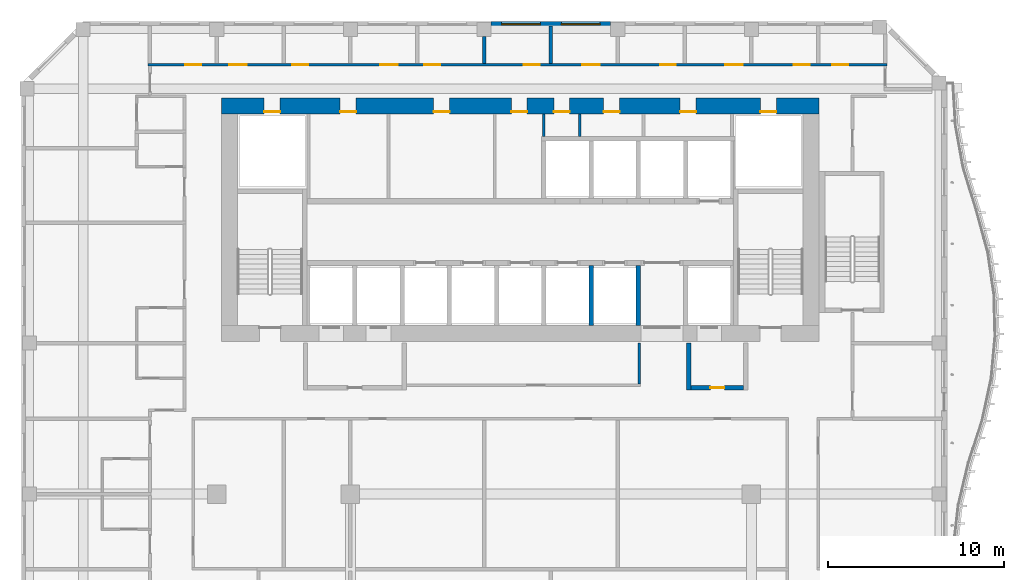
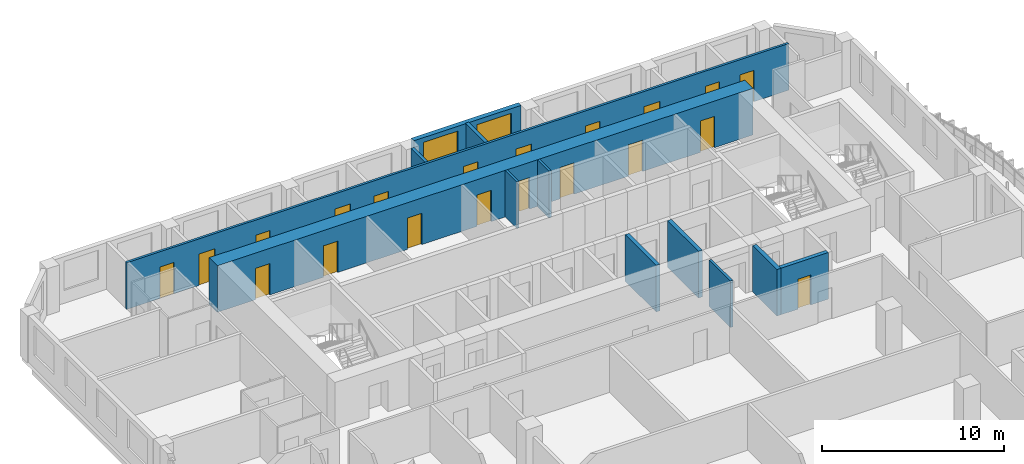
# One storey, part 9 of 22: 20 doors, 12 walls, 2 windows, 22 openings.
"""IFC4 building model written with IfcOpenShell, lengths in metres."""

from ifc_helpers import new_model, si_unit, direction, frame, frame_2d, origin, place, context, subcontext, project, spatial, rectangle, extrude, source, transform, mapped, material, layer, layer_set, type_object, element, fill, save


model = new_model("IFC4")

# Units and contexts
model_context = context("Model", 3, precision=1e-05, world=origin(), true_north=direction((0.0, 1.0)))
body_context = subcontext(model_context, "Body", "Model", "MODEL_VIEW")
ifc_project = project(units=[si_unit("LENGTHUNIT", "METRE"), si_unit("AREAUNIT", "SQUARE_METRE"), si_unit("VOLUMEUNIT", "CUBIC_METRE"), si_unit("PLANEANGLEUNIT", "RADIAN"), si_unit("MASSUNIT", "GRAM", prefix="KILO")], contexts=[model_context])

# Site, building, storey
site_placement = place(None, origin())
site = spatial("IfcSite", under=ifc_project, at=site_placement, CompositionType="ELEMENT")
building_placement = place(site_placement, origin())
building = spatial("IfcBuilding", under=site, at=building_placement, Name="Kilnfold Tower and Market Hall", CompositionType="ELEMENT")
storey_placement = place(building_placement, frame((0.0, 0.0, 171.89990234375)))
storey = spatial("IfcBuildingStorey", under=building, at=storey_placement, Name="L40", CompositionType="ELEMENT", Elevation=171.89990234375)

# Wall, openings, doors
ifc_material_1 = material(Name="Gypsum board on steel studs", Category="steel")
ifc_layer_1 = layer(ifc_material_1, 0.14990234375)
ifc_layer_set_1 = layer_set([ifc_layer_1], Name="Gypsum board on steel studs")
wall_type_1 = type_object("IfcWallType", Name="WALL CORRIDOR 150", PredefinedType="PARTITIONING", material=ifc_layer_set_1)
wall_1_placement = place(storey_placement, frame((-20.05908203125, 23.800048828125, 0.0), z_axis=(0.0, 0.0, 1.0), x_axis=(1.0, 0.0, 0.0)))
wall_1 = element("IfcWall", 1, at=wall_1_placement, inside=storey, type_object=wall_type_1, Name="Partition LY26.39", PredefinedType="PARTITIONING", context=body_context, shape_type="SweptSolid", body=[
    extrude(rectangle(XDim=41.9091796875, YDim=0.14990234375, at=frame_2d((20.95458984375, 0.0))), origin(), (0.0, 0.0, 1.0), 3.1201171875),
])
opening_1_placement = place(wall_1_placement, frame((2.10107421875, 0.0, 0.0)))
opening_1 = element("IfcOpeningElement", 2, at=opening_1_placement, cuts=wall_1, Name="Opening D2", PredefinedType="OPENING", context=body_context, shape_type="SweptSolid", body=[
    extrude(rectangle(XDim=0.89990234375, YDim=2.10009765625, at=frame_2d((0.449951171875, 1.050048828125))), frame((0.0, 0.0849609375, 0.0), z_axis=(0.0, -1.0, 0.0), x_axis=(1.0, 0.0, 0.0)), (0.0, 0.0, 1.0), 0.169921875),
])
opening_2_placement = place(wall_1_placement, frame((4.5849609375, 0.0, 0.0)))
opening_2 = element("IfcOpeningElement", 3, at=opening_2_placement, cuts=wall_1, Name="Opening D4", PredefinedType="OPENING", context=body_context, shape_type="SweptSolid", body=[
    extrude(rectangle(XDim=1.0, YDim=2.10009765625, at=frame_2d((0.5, 1.050048828125))), frame((0.0, 0.0849609375, 0.0), z_axis=(0.0, -1.0, 0.0), x_axis=(1.0, 0.0, 0.0)), (0.0, 0.0, 1.0), 0.169921875),
])
opening_3_placement = place(wall_1_placement, frame((8.175048828125, 0.0, 0.0)))
opening_3 = element("IfcOpeningElement", 4, at=opening_3_placement, cuts=wall_1, Name="Opening D2", PredefinedType="OPENING", context=body_context, shape_type="SweptSolid", body=[
    extrude(rectangle(XDim=0.89990234375, YDim=2.10009765625, at=frame_2d((0.449951171875, 1.050048828125))), frame((0.0, 0.0849609375, 0.0), z_axis=(0.0, -1.0, 0.0), x_axis=(1.0, 0.0, 0.0)), (0.0, 0.0, 1.0), 0.169921875),
])
opening_4_placement = place(wall_1_placement, frame((13.173095703125, 0.0, 0.0)))
opening_4 = element("IfcOpeningElement", 5, at=opening_4_placement, cuts=wall_1, Name="Opening D4", PredefinedType="OPENING", context=body_context, shape_type="SweptSolid", body=[
    extrude(rectangle(XDim=1.0, YDim=2.10009765625, at=frame_2d((0.5, 1.050048828125))), frame((0.0, 0.0849609375, 0.0), z_axis=(0.0, -1.0, 0.0), x_axis=(1.0, 0.0, 0.0)), (0.0, 0.0, 1.0), 0.169921875),
])
opening_5_placement = place(wall_1_placement, frame((15.657958984375, 0.0, 0.0)))
opening_5 = element("IfcOpeningElement", 6, at=opening_5_placement, cuts=wall_1, Name="Opening D2", PredefinedType="OPENING", context=body_context, shape_type="SweptSolid", body=[
    extrude(rectangle(XDim=0.89990234375, YDim=2.10009765625, at=frame_2d((0.449951171875, 1.050048828125))), frame((0.0, 0.0849609375, 0.0), z_axis=(0.0, -1.0, 0.0), x_axis=(1.0, 0.0, 0.0)), (0.0, 0.0, 1.0), 0.169921875),
])
opening_6_placement = place(wall_1_placement, frame((21.31494140625, 0.0, 0.0)))
opening_6 = element("IfcOpeningElement", 7, at=opening_6_placement, cuts=wall_1, Name="Opening D2", PredefinedType="OPENING", context=body_context, shape_type="SweptSolid", body=[
    extrude(rectangle(XDim=0.89990234375, YDim=2.10009765625, at=frame_2d((0.449951171875, 1.050048828125))), frame((0.0, 0.0849609375, 0.0), z_axis=(0.0, -1.0, 0.0), x_axis=(1.0, 0.0, 0.0)), (0.0, 0.0, 1.0), 0.169921875),
])
opening_7_placement = place(wall_1_placement, frame((24.625, 0.0, 0.0)))
opening_7 = element("IfcOpeningElement", 8, at=opening_7_placement, cuts=wall_1, Name="Opening D4", PredefinedType="OPENING", context=body_context, shape_type="SweptSolid", body=[
    extrude(rectangle(XDim=1.0, YDim=2.10009765625, at=frame_2d((0.5, 1.050048828125))), frame((0.0, 0.0849609375, 0.0), z_axis=(0.0, -1.0, 0.0), x_axis=(1.0, 0.0, 0.0)), (0.0, 0.0, 1.0), 0.169921875),
])
opening_8_placement = place(wall_1_placement, frame((29.04296875, 0.0, 0.0)))
opening_8 = element("IfcOpeningElement", 9, at=opening_8_placement, cuts=wall_1, Name="Opening D2", PredefinedType="OPENING", context=body_context, shape_type="SweptSolid", body=[
    extrude(rectangle(XDim=0.89990234375, YDim=2.10009765625, at=frame_2d((0.449951171875, 1.050048828125))), frame((0.0, 0.0849609375, 0.0), z_axis=(0.0, -1.0, 0.0), x_axis=(1.0, 0.0, 0.0)), (0.0, 0.0, 1.0), 0.169921875),
])
opening_9_placement = place(wall_1_placement, frame((32.735107421875, 0.0, 0.0)))
opening_9 = element("IfcOpeningElement", 10, at=opening_9_placement, cuts=wall_1, Name="Opening D4", PredefinedType="OPENING", context=body_context, shape_type="SweptSolid", body=[
    extrude(rectangle(XDim=1.0, YDim=2.10009765625, at=frame_2d((0.5, 1.050048828125))), frame((0.0, 0.0849609375, 0.0), z_axis=(0.0, -1.0, 0.0), x_axis=(1.0, 0.0, 0.0)), (0.0, 0.0, 1.0), 0.169921875),
])
opening_10_placement = place(wall_1_placement, frame((36.626953125, 0.0, 0.0)))
opening_10 = element("IfcOpeningElement", 11, at=opening_10_placement, cuts=wall_1, Name="Opening D2", PredefinedType="OPENING", context=body_context, shape_type="SweptSolid", body=[
    extrude(rectangle(XDim=0.89990234375, YDim=2.10009765625, at=frame_2d((0.449951171875, 1.050048828125))), frame((0.0, 0.0849609375, 0.0), z_axis=(0.0, -1.0, 0.0), x_axis=(1.0, 0.0, 0.0)), (0.0, 0.0, 1.0), 0.169921875),
])
opening_11_placement = place(wall_1_placement, frame((38.80810546875, 0.0, 0.0)))
opening_11 = element("IfcOpeningElement", 12, at=opening_11_placement, cuts=wall_1, Name="Opening D2", PredefinedType="OPENING", context=body_context, shape_type="SweptSolid", body=[
    extrude(rectangle(XDim=0.89990234375, YDim=2.10009765625, at=frame_2d((0.449951171875, 1.050048828125))), frame((0.0, 0.0849609375, 0.0), z_axis=(0.0, -1.0, 0.0), x_axis=(1.0, 0.0, 0.0)), (0.0, 0.0, 1.0), 0.169921875),
])
ifc_material_2 = material(Name="Timber veneer door leaf in steel frame", Category="steel")
door_type_1 = type_object("IfcDoorType", Name="DOOR ROOM 900 X2100", OperationType="NOTDEFINED", PredefinedType="DOOR", material=ifc_material_2)
door_1_placement = place(opening_1_placement, origin())
door_1 = element("IfcDoor", 13, at=door_1_placement, inside=storey, type_object=door_type_1, Name="Door D2", OperationType="SINGLE_SWING_RIGHT", OverallHeight=2.10009765625, OverallWidth=0.89990234375, PredefinedType="DOOR", context=body_context, shape_type="SweptSolid", body=[
    extrude(rectangle(XDim=0.89990234375, YDim=2.10009765625, at=frame_2d((0.449951171875, 1.050048828125))), frame((0.0, 0.02490234375, 0.0), z_axis=(0.0, -1.0, 0.0), x_axis=(1.0, 0.0, 0.0)), (0.0, 0.0, 1.0), 0.050048828125),
])
fill(opening_1, door_1)
door_2_placement = place(opening_3_placement, origin())
door_2 = element("IfcDoor", 14, at=door_2_placement, inside=storey, type_object=door_type_1, Name="Door D2", OperationType="SINGLE_SWING_LEFT", OverallHeight=2.10009765625, OverallWidth=0.89990234375, PredefinedType="DOOR", context=body_context, shape_type="SweptSolid", body=[
    extrude(rectangle(XDim=0.89990234375, YDim=2.10009765625, at=frame_2d((0.449951171875, 1.050048828125))), frame((0.0, 0.02490234375, 0.0), z_axis=(0.0, -1.0, 0.0), x_axis=(1.0, 0.0, 0.0)), (0.0, 0.0, 1.0), 0.050048828125),
])
fill(opening_3, door_2)
door_3_placement = place(opening_5_placement, origin())
door_3 = element("IfcDoor", 15, at=door_3_placement, inside=storey, type_object=door_type_1, Name="Door D2", OperationType="SINGLE_SWING_RIGHT", OverallHeight=2.10009765625, OverallWidth=0.89990234375, PredefinedType="DOOR", context=body_context, shape_type="SweptSolid", body=[
    extrude(rectangle(XDim=0.89990234375, YDim=2.10009765625, at=frame_2d((0.449951171875, 1.050048828125))), frame((0.0, 0.02490234375, 0.0), z_axis=(0.0, -1.0, 0.0), x_axis=(1.0, 0.0, 0.0)), (0.0, 0.0, 1.0), 0.050048828125),
])
fill(opening_5, door_3)
door_4_placement = place(opening_6_placement, origin())
door_4 = element("IfcDoor", 16, at=door_4_placement, inside=storey, type_object=door_type_1, Name="Door D2", OperationType="SINGLE_SWING_RIGHT", OverallHeight=2.10009765625, OverallWidth=0.89990234375, PredefinedType="DOOR", context=body_context, shape_type="SweptSolid", body=[
    extrude(rectangle(XDim=0.89990234375, YDim=2.10009765625, at=frame_2d((0.449951171875, 1.050048828125))), frame((0.0, 0.02490234375, 0.0), z_axis=(0.0, -1.0, 0.0), x_axis=(1.0, 0.0, 0.0)), (0.0, 0.0, 1.0), 0.050048828125),
])
fill(opening_6, door_4)
door_5_placement = place(opening_8_placement, origin())
door_5 = element("IfcDoor", 17, at=door_5_placement, inside=storey, type_object=door_type_1, Name="Door D2", OperationType="SINGLE_SWING_RIGHT", OverallHeight=2.10009765625, OverallWidth=0.89990234375, PredefinedType="DOOR", context=body_context, shape_type="SweptSolid", body=[
    extrude(rectangle(XDim=0.89990234375, YDim=2.10009765625, at=frame_2d((0.449951171875, 1.050048828125))), frame((0.0, 0.02490234375, 0.0), z_axis=(0.0, -1.0, 0.0), x_axis=(1.0, 0.0, 0.0)), (0.0, 0.0, 1.0), 0.050048828125),
])
fill(opening_8, door_5)
door_6_placement = place(opening_10_placement, origin())
door_6 = element("IfcDoor", 18, at=door_6_placement, inside=storey, type_object=door_type_1, Name="Door D2", OperationType="SINGLE_SWING_RIGHT", OverallHeight=2.10009765625, OverallWidth=0.89990234375, PredefinedType="DOOR", context=body_context, shape_type="SweptSolid", body=[
    extrude(rectangle(XDim=0.89990234375, YDim=2.10009765625, at=frame_2d((0.449951171875, 1.050048828125))), frame((0.0, 0.02490234375, 0.0), z_axis=(0.0, -1.0, 0.0), x_axis=(1.0, 0.0, 0.0)), (0.0, 0.0, 1.0), 0.050048828125),
])
fill(opening_10, door_6)
door_7_placement = place(opening_11_placement, origin())
door_7 = element("IfcDoor", 19, at=door_7_placement, inside=storey, type_object=door_type_1, Name="Door D2", OperationType="SINGLE_SWING_LEFT", OverallHeight=2.10009765625, OverallWidth=0.89990234375, PredefinedType="DOOR", context=body_context, shape_type="SweptSolid", body=[
    extrude(rectangle(XDim=0.89990234375, YDim=2.10009765625, at=frame_2d((0.449951171875, 1.050048828125))), frame((0.0, 0.02490234375, 0.0), z_axis=(0.0, -1.0, 0.0), x_axis=(1.0, 0.0, 0.0)), (0.0, 0.0, 1.0), 0.050048828125),
])
fill(opening_11, door_7)
ifc_material_3 = material(Name="Timber veneer door leaf in steel frame", Category="steel")
door_type_2 = type_object("IfcDoorType", Name="DOOR SERVICE 1000 X2100", OperationType="NOTDEFINED", PredefinedType="DOOR", material=ifc_material_3)
door_8_placement = place(opening_2_placement, origin())
door_8 = element("IfcDoor", 20, at=door_8_placement, inside=storey, type_object=door_type_2, Name="Door D4", OperationType="SINGLE_SWING_RIGHT", OverallHeight=2.10009765625, OverallWidth=1.0, PredefinedType="DOOR", context=body_context, shape_type="SweptSolid", body=[
    extrude(rectangle(XDim=1.0, YDim=2.10009765625, at=frame_2d((0.5, 1.050048828125))), frame((0.0, 0.02490234375, 0.0), z_axis=(0.0, -1.0, 0.0), x_axis=(1.0, 0.0, 0.0)), (0.0, 0.0, 1.0), 0.050048828125),
])
fill(opening_2, door_8)
door_9_placement = place(opening_4_placement, origin())
door_9 = element("IfcDoor", 21, at=door_9_placement, inside=storey, type_object=door_type_2, Name="Door D4", OperationType="SINGLE_SWING_RIGHT", OverallHeight=2.10009765625, OverallWidth=1.0, PredefinedType="DOOR", context=body_context, shape_type="SweptSolid", body=[
    extrude(rectangle(XDim=1.0, YDim=2.10009765625, at=frame_2d((0.5, 1.050048828125))), frame((0.0, 0.02490234375, 0.0), z_axis=(0.0, -1.0, 0.0), x_axis=(1.0, 0.0, 0.0)), (0.0, 0.0, 1.0), 0.050048828125),
])
fill(opening_4, door_9)
door_10_placement = place(opening_7_placement, origin())
door_10 = element("IfcDoor", 22, at=door_10_placement, inside=storey, type_object=door_type_2, Name="Door D4", OperationType="SINGLE_SWING_LEFT", OverallHeight=2.10009765625, OverallWidth=1.0, PredefinedType="DOOR", context=body_context, shape_type="SweptSolid", body=[
    extrude(rectangle(XDim=1.0, YDim=2.10009765625, at=frame_2d((0.5, 1.050048828125))), frame((0.0, 0.02490234375, 0.0), z_axis=(0.0, -1.0, 0.0), x_axis=(1.0, 0.0, 0.0)), (0.0, 0.0, 1.0), 0.050048828125),
])
fill(opening_7, door_10)
door_11_placement = place(opening_9_placement, origin())
door_11 = element("IfcDoor", 23, at=door_11_placement, inside=storey, type_object=door_type_2, Name="Door D4", OperationType="SINGLE_SWING_RIGHT", OverallHeight=2.10009765625, OverallWidth=1.0, PredefinedType="DOOR", context=body_context, shape_type="SweptSolid", body=[
    extrude(rectangle(XDim=1.0, YDim=2.10009765625, at=frame_2d((0.5, 1.050048828125))), frame((0.0, 0.02490234375, 0.0), z_axis=(0.0, -1.0, 0.0), x_axis=(1.0, 0.0, 0.0)), (0.0, 0.0, 1.0), 0.050048828125),
])
fill(opening_9, door_11)

# Walls
wall_2_placement = place(storey_placement, frame((7.800048828125, 8.0, 0.0), z_axis=(0.0, 0.0, 1.0), x_axis=(0.0, -1.0, 0.0)))
element("IfcWall", 24, at=wall_2_placement, inside=storey, type_object=wall_type_1, Name="Partition LY26.41", PredefinedType="PARTITIONING", context=body_context, shape_type="SweptSolid", body=[
    extrude(rectangle(XDim=2.324951171875, YDim=0.14990234375, at=frame_2d((1.16259765625, 0.0))), origin(), (0.0, 0.0, 1.0), 3.1201171875),
])
ifc_material_4 = material(Name="Gypsum board on steel studs", Category="steel")
ifc_layer_2 = layer(ifc_material_4, 0.199951171875)
ifc_layer_set_2 = layer_set([ifc_layer_2], Name="Gypsum board on steel studs")
wall_type_2 = type_object("IfcWallType", Name="WALL PARTY 200", PredefinedType="PARTITIONING", material=ifc_layer_set_2)
wall_3_placement = place(storey_placement, frame((-1.0, 23.876953125, 0.0), z_axis=(0.0, 0.0, 1.0), x_axis=(0.0, 1.0, 0.0)))
element("IfcWall", 25, at=wall_3_placement, inside=storey, type_object=wall_type_2, Name="Partition LY26.128", PredefinedType="PARTITIONING", context=body_context, shape_type="SweptSolid", body=[
    extrude(rectangle(XDim=1.52294921875, YDim=0.199951171875, at=frame_2d((0.761474609375, 0.0))), origin(), (0.0, 0.0, 1.0), 3.1201171875),
])
wall_4_placement = place(storey_placement, frame((2.7919921875, 23.876953125, 0.0), z_axis=(0.0, 0.0, 1.0), x_axis=(0.0, 1.0, 0.0)))
element("IfcWall", 26, at=wall_4_placement, inside=storey, type_object=wall_type_2, Name="Partition LY26.129", PredefinedType="PARTITIONING", context=body_context, shape_type="SweptSolid", body=[
    extrude(rectangle(XDim=2.123046875, YDim=0.199951171875, at=frame_2d((1.0615234375, 0.0))), origin(), (0.0, 0.0, 1.0), 3.1201171875),
])

# Wall, openings, doors
ifc_material_5 = material(Name="Concrete C70", Category="concrete")
ifc_layer_3 = layer(ifc_material_5, 0.89990234375)
ifc_layer_set_3 = layer_set([ifc_layer_3], Name="Concrete C70")
wall_type_3 = type_object("IfcWallType", Name="CORE WALL 900 C70", PredefinedType="SHEAR", material=ifc_layer_set_3)
shared_shape_1 = source(origin(), body_context, "Body", "SweptSolid", [
    extrude(rectangle(XDim=33.89990234375, YDim=0.89990234375, at=frame_2d((16.949951171875, 0.0))), origin(), (0.0, 0.0, 1.0), 3.1201171875),
])
wall_5_placement = place(storey_placement, frame((-15.89990234375, 21.449951171875, 0.0), z_axis=(0.0, 0.0, 1.0), x_axis=(1.0, 0.0, 0.0)))
wall_5 = element("IfcWall", 27, at=wall_5_placement, inside=storey, type_object=wall_type_3, Name="Core outer wall north", PredefinedType="SHEAR", context=body_context, shape_type="MappedRepresentation", body=[
    mapped(shared_shape_1, transform((0.0, 0.0, 0.0))),
])
opening_12_placement = place(wall_5_placement, frame((6.7314453125, 0.0, 0.0)))
opening_12 = element("IfcOpeningElement", 28, at=opening_12_placement, cuts=wall_5, Name="Opening KD1", PredefinedType="OPENING", context=body_context, shape_type="SweptSolid", body=[
    extrude(rectangle(XDim=0.89990234375, YDim=2.10009765625, at=frame_2d((0.449951171875, 1.050048828125))), frame((0.0, 0.4599609375, 0.0), z_axis=(0.0, -1.0, 0.0), x_axis=(1.0, 0.0, 0.0)), (0.0, 0.0, 1.0), 0.919921875),
])
opening_13_placement = place(wall_5_placement, frame((12.037841796875, 0.0, 0.0)))
opening_13 = element("IfcOpeningElement", 29, at=opening_13_placement, cuts=wall_5, Name="Opening KD1", PredefinedType="OPENING", context=body_context, shape_type="SweptSolid", body=[
    extrude(rectangle(XDim=0.89990234375, YDim=2.10009765625, at=frame_2d((0.449951171875, 1.050048828125))), frame((0.0, 0.4599609375, 0.0), z_axis=(0.0, -1.0, 0.0), x_axis=(1.0, 0.0, 0.0)), (0.0, 0.0, 1.0), 0.919921875),
])
opening_14_placement = place(wall_5_placement, frame((16.4462890625, 0.0, 0.0)))
opening_14 = element("IfcOpeningElement", 30, at=opening_14_placement, cuts=wall_5, Name="Opening KD1", PredefinedType="OPENING", context=body_context, shape_type="SweptSolid", body=[
    extrude(rectangle(XDim=0.89990234375, YDim=2.10009765625, at=frame_2d((0.449951171875, 1.050048828125))), frame((0.0, 0.4599609375, 0.0), z_axis=(0.0, -1.0, 0.0), x_axis=(1.0, 0.0, 0.0)), (0.0, 0.0, 1.0), 0.919921875),
])
opening_15_placement = place(wall_5_placement, frame((18.8583984375, 0.0, 0.0)))
opening_15 = element("IfcOpeningElement", 31, at=opening_15_placement, cuts=wall_5, Name="Opening KD1", PredefinedType="OPENING", context=body_context, shape_type="SweptSolid", body=[
    extrude(rectangle(XDim=0.89990234375, YDim=2.10009765625, at=frame_2d((0.449951171875, 1.050048828125))), frame((0.0, 0.4599609375, 0.0), z_axis=(0.0, -1.0, 0.0), x_axis=(1.0, 0.0, 0.0)), (0.0, 0.0, 1.0), 0.919921875),
])
opening_16_placement = place(wall_5_placement, frame((21.685791015625, 0.0, 0.0)))
opening_16 = element("IfcOpeningElement", 32, at=opening_16_placement, cuts=wall_5, Name="Opening KD1", PredefinedType="OPENING", context=body_context, shape_type="SweptSolid", body=[
    extrude(rectangle(XDim=0.89990234375, YDim=2.10009765625, at=frame_2d((0.449951171875, 1.050048828125))), frame((0.0, 0.4599609375, 0.0), z_axis=(0.0, -1.0, 0.0), x_axis=(1.0, 0.0, 0.0)), (0.0, 0.0, 1.0), 0.919921875),
])
opening_17_placement = place(wall_5_placement, frame((26.02734375, 0.0, 0.0)))
opening_17 = element("IfcOpeningElement", 33, at=opening_17_placement, cuts=wall_5, Name="Opening KD1", PredefinedType="OPENING", context=body_context, shape_type="SweptSolid", body=[
    extrude(rectangle(XDim=0.89990234375, YDim=2.10009765625, at=frame_2d((0.449951171875, 1.050048828125))), frame((0.0, 0.4599609375, 0.0), z_axis=(0.0, -1.0, 0.0), x_axis=(1.0, 0.0, 0.0)), (0.0, 0.0, 1.0), 0.919921875),
])
opening_18_placement = place(wall_5_placement, frame((2.425048828125, 0.0, 0.0)))
opening_18 = element("IfcOpeningElement", 34, at=opening_18_placement, cuts=wall_5, Name="Opening KD1", PredefinedType="OPENING", context=body_context, shape_type="SweptSolid", body=[
    extrude(rectangle(XDim=0.89990234375, YDim=2.10009765625, at=frame_2d((0.449951171875, 1.050048828125))), frame((0.0, 0.4599609375, 0.0), z_axis=(0.0, -1.0, 0.0), x_axis=(1.0, 0.0, 0.0)), (0.0, 0.0, 1.0), 0.919921875),
])
opening_19_placement = place(wall_5_placement, frame((30.574951171875, 0.0, 0.0)))
opening_19 = element("IfcOpeningElement", 35, at=opening_19_placement, cuts=wall_5, Name="Opening KD1", PredefinedType="OPENING", context=body_context, shape_type="SweptSolid", body=[
    extrude(rectangle(XDim=0.89990234375, YDim=2.10009765625, at=frame_2d((0.449951171875, 1.050048828125))), frame((0.0, 0.4599609375, 0.0), z_axis=(0.0, -1.0, 0.0), x_axis=(1.0, 0.0, 0.0)), (0.0, 0.0, 1.0), 0.919921875),
])
ifc_material_6 = material(Name="Steel door set with fire-resisting leaf", Category="steel")
door_type_3 = type_object("IfcDoorType", Name="SERVICE DOOR 900X2100", OperationType="NOTDEFINED", PredefinedType="DOOR", material=ifc_material_6)
door_12_placement = place(opening_12_placement, origin())
door_12 = element("IfcDoor", 36, at=door_12_placement, inside=storey, type_object=door_type_3, Name="Core service door", OperationType="SINGLE_SWING_RIGHT", OverallHeight=2.10009765625, OverallWidth=0.89990234375, PredefinedType="DOOR", context=body_context, shape_type="SweptSolid", body=[
    extrude(rectangle(XDim=0.89990234375, YDim=2.10009765625, at=frame_2d((0.449951171875, 1.050048828125))), frame((0.0, -0.30517578125, 0.0), z_axis=(0.0, -1.0, 0.0), x_axis=(1.0, 0.0, 0.0)), (0.0, 0.0, 1.0), 0.050048828125),
])
fill(opening_12, door_12)
door_13_placement = place(opening_13_placement, origin())
door_13 = element("IfcDoor", 37, at=door_13_placement, inside=storey, type_object=door_type_3, Name="Core service door", OperationType="SINGLE_SWING_LEFT", OverallHeight=2.10009765625, OverallWidth=0.89990234375, PredefinedType="DOOR", context=body_context, shape_type="SweptSolid", body=[
    extrude(rectangle(XDim=0.89990234375, YDim=2.10009765625, at=frame_2d((0.449951171875, 1.050048828125))), frame((0.0, -0.30517578125, 0.0), z_axis=(0.0, -1.0, 0.0), x_axis=(1.0, 0.0, 0.0)), (0.0, 0.0, 1.0), 0.050048828125),
])
fill(opening_13, door_13)
door_14_placement = place(opening_14_placement, origin())
door_14 = element("IfcDoor", 38, at=door_14_placement, inside=storey, type_object=door_type_3, Name="Core service door", OperationType="SINGLE_SWING_RIGHT", OverallHeight=2.10009765625, OverallWidth=0.89990234375, PredefinedType="DOOR", context=body_context, shape_type="SweptSolid", body=[
    extrude(rectangle(XDim=0.89990234375, YDim=2.10009765625, at=frame_2d((0.449951171875, 1.050048828125))), frame((0.0, -0.30517578125, 0.0), z_axis=(0.0, -1.0, 0.0), x_axis=(1.0, 0.0, 0.0)), (0.0, 0.0, 1.0), 0.050048828125),
])
fill(opening_14, door_14)
door_15_placement = place(opening_15_placement, origin())
door_15 = element("IfcDoor", 39, at=door_15_placement, inside=storey, type_object=door_type_3, Name="Core service door", OperationType="SINGLE_SWING_LEFT", OverallHeight=2.10009765625, OverallWidth=0.89990234375, PredefinedType="DOOR", context=body_context, shape_type="SweptSolid", body=[
    extrude(rectangle(XDim=0.89990234375, YDim=2.10009765625, at=frame_2d((0.449951171875, 1.050048828125))), frame((0.0, -0.30517578125, 0.0), z_axis=(0.0, -1.0, 0.0), x_axis=(1.0, 0.0, 0.0)), (0.0, 0.0, 1.0), 0.050048828125),
])
fill(opening_15, door_15)
door_16_placement = place(opening_16_placement, origin())
door_16 = element("IfcDoor", 40, at=door_16_placement, inside=storey, type_object=door_type_3, Name="Core service door", OperationType="SINGLE_SWING_RIGHT", OverallHeight=2.10009765625, OverallWidth=0.89990234375, PredefinedType="DOOR", context=body_context, shape_type="SweptSolid", body=[
    extrude(rectangle(XDim=0.89990234375, YDim=2.10009765625, at=frame_2d((0.449951171875, 1.050048828125))), frame((0.0, -0.30517578125, 0.0), z_axis=(0.0, -1.0, 0.0), x_axis=(1.0, 0.0, 0.0)), (0.0, 0.0, 1.0), 0.050048828125),
])
fill(opening_16, door_16)
door_17_placement = place(opening_17_placement, origin())
door_17 = element("IfcDoor", 41, at=door_17_placement, inside=storey, type_object=door_type_3, Name="Core service door", OperationType="SINGLE_SWING_LEFT", OverallHeight=2.10009765625, OverallWidth=0.89990234375, PredefinedType="DOOR", context=body_context, shape_type="SweptSolid", body=[
    extrude(rectangle(XDim=0.89990234375, YDim=2.10009765625, at=frame_2d((0.449951171875, 1.050048828125))), frame((0.0, -0.30517578125, 0.0), z_axis=(0.0, -1.0, 0.0), x_axis=(1.0, 0.0, 0.0)), (0.0, 0.0, 1.0), 0.050048828125),
])
fill(opening_17, door_17)
door_18_placement = place(opening_18_placement, origin())
door_18 = element("IfcDoor", 42, at=door_18_placement, inside=storey, type_object=door_type_3, Name="Electrical riser access door", OperationType="SINGLE_SWING_RIGHT", OverallHeight=2.10009765625, OverallWidth=0.89990234375, PredefinedType="DOOR", context=body_context, shape_type="SweptSolid", body=[
    extrude(rectangle(XDim=0.89990234375, YDim=2.10009765625, at=frame_2d((0.449951171875, 1.050048828125))), frame((0.0, -0.30517578125, 0.0), z_axis=(0.0, -1.0, 0.0), x_axis=(1.0, 0.0, 0.0)), (0.0, 0.0, 1.0), 0.050048828125),
])
fill(opening_18, door_18)
door_19_placement = place(opening_19_placement, origin())
door_19 = element("IfcDoor", 43, at=door_19_placement, inside=storey, type_object=door_type_3, Name="Mechanical riser access door", OperationType="SINGLE_SWING_LEFT", OverallHeight=2.10009765625, OverallWidth=0.89990234375, PredefinedType="DOOR", context=body_context, shape_type="SweptSolid", body=[
    extrude(rectangle(XDim=0.89990234375, YDim=2.10009765625, at=frame_2d((0.449951171875, 1.050048828125))), frame((0.0, -0.30517578125, 0.0), z_axis=(0.0, -1.0, 0.0), x_axis=(1.0, 0.0, 0.0)), (0.0, 0.0, 1.0), 0.050048828125),
])
fill(opening_19, door_19)

# Wall, openings, windows
ifc_material_7 = material(Name="Precast concrete C50/60", Category="concrete")
ifc_layer_4 = layer(ifc_material_7, 0.300048828125)
ifc_layer_set_4 = layer_set([ifc_layer_4], Name="Precast concrete C50/60")
wall_type_4 = type_object("IfcWallType", Name="PRECAST WALL 300", PredefinedType="SOLIDWALL", material=ifc_layer_set_4)
shared_shape_2 = source(origin(), body_context, "Body", "SweptSolid", [
    extrude(rectangle(XDim=6.783447265625, YDim=0.300048828125, at=frame_2d((3.3916015625, 0.0))), origin(), (0.0, 0.0, 1.0), 3.1201171875),
])
wall_6_placement = place(storey_placement, frame((6.183349609375, 26.10009765625, 0.0), z_axis=(0.0, 0.0, 1.0), x_axis=(-1.0, 0.0, 0.0)))
wall_6 = element("IfcWall", 44, at=wall_6_placement, inside=storey, type_object=wall_type_4, Name="External wall L40 N", PredefinedType="SOLIDWALL", context=body_context, shape_type="MappedRepresentation", body=[
    mapped(shared_shape_2, transform((0.0, 0.0, 0.0))),
])
opening_20_placement = place(wall_6_placement, frame((0.595703125, 0.0, 0.85009765625)))
opening_20 = element("IfcOpeningElement", 45, at=opening_20_placement, cuts=wall_6, Name="Opening W2", PredefinedType="OPENING", context=body_context, shape_type="SweptSolid", body=[
    extrude(rectangle(XDim=2.199951171875, YDim=1.949951171875, at=frame_2d((1.10009765625, 0.97509765625))), frame((0.0, 0.16015625, 0.0), z_axis=(0.0, -1.0, 0.0), x_axis=(1.0, 0.0, 0.0)), (0.0, 0.0, 1.0), 0.320068359375),
])
opening_21_placement = place(wall_6_placement, frame((3.987548828125, 0.0, 0.85009765625)))
opening_21 = element("IfcOpeningElement", 46, at=opening_21_placement, cuts=wall_6, Name="Opening W2", PredefinedType="OPENING", context=body_context, shape_type="SweptSolid", body=[
    extrude(rectangle(XDim=2.199951171875, YDim=1.949951171875, at=frame_2d((1.10009765625, 0.97509765625))), frame((0.0, 0.16015625, 0.0), z_axis=(0.0, -1.0, 0.0), x_axis=(1.0, 0.0, 0.0)), (0.0, 0.0, 1.0), 0.320068359375),
])
ifc_material_8 = material(Name="Aluminium frame and double glazing", Category="aluminium")
window_type = type_object("IfcWindowType", Name="WINDOW W2 2200X1950", PartitioningType="SINGLE_PANEL", PredefinedType="WINDOW", material=ifc_material_8)
window_1_placement = place(opening_20_placement, origin())
window_1 = element("IfcWindow", 47, at=window_1_placement, inside=storey, type_object=window_type, Name="Window W2 L40 N-1", OverallHeight=1.949951171875, OverallWidth=2.199951171875, PartitioningType="SINGLE_PANEL", PredefinedType="WINDOW", context=body_context, shape_type="SweptSolid", body=[
    extrude(rectangle(XDim=2.199951171875, YDim=1.949951171875, at=frame_2d((1.10009765625, 0.97509765625))), frame((0.0, 0.030029296875, 0.0), z_axis=(0.0, -1.0, 0.0), x_axis=(1.0, 0.0, 0.0)), (0.0, 0.0, 1.0), 0.06005859375),
])
fill(opening_20, window_1)
window_2_placement = place(opening_21_placement, origin())
window_2 = element("IfcWindow", 48, at=window_2_placement, inside=storey, type_object=window_type, Name="Window W2 L40 N-2", OverallHeight=1.949951171875, OverallWidth=2.199951171875, PartitioningType="SINGLE_PANEL", PredefinedType="WINDOW", context=body_context, shape_type="SweptSolid", body=[
    extrude(rectangle(XDim=2.199951171875, YDim=1.949951171875, at=frame_2d((1.10009765625, 0.97509765625))), frame((0.0, 0.030029296875, 0.0), z_axis=(0.0, -1.0, 0.0), x_axis=(1.0, 0.0, 0.0)), (0.0, 0.0, 1.0), 0.06005859375),
])
fill(opening_21, window_2)

# Wall
ifc_material_9 = material(Name="Gypsum shaft wall system")
ifc_layer_5 = layer(ifc_material_9, 0.25)
ifc_layer_set_5 = layer_set([ifc_layer_5], Name="Gypsum shaft wall system")
wall_type_5 = type_object("IfcWallType", Name="LOBBY WALL 250", PredefinedType="PARTITIONING", material=ifc_layer_set_5)
shared_shape_3 = source(origin(), body_context, "Body", "SweptSolid", [
    extrude(rectangle(XDim=2.64990234375, YDim=0.25, at=frame_2d((1.324951171875, 0.0))), origin(), (0.0, 0.0, 1.0), 3.1201171875),
])
wall_7_placement = place(storey_placement, frame((10.60498046875, 5.35009765625, 0.0), z_axis=(0.0, 0.0, 1.0), x_axis=(0.0, 1.0, 0.0)))
element("IfcWall", 49, at=wall_7_placement, inside=storey, type_object=wall_type_5, Name="Firefighting lobby wall", PredefinedType="PARTITIONING", context=body_context, shape_type="MappedRepresentation", body=[
    mapped(shared_shape_3, transform((0.0, 0.0, 0.0))),
])

# Wall, opening, door
shared_shape_4 = source(origin(), body_context, "Body", "SweptSolid", [
    extrude(rectangle(XDim=3.0, YDim=0.25, at=frame_2d((1.5, 0.0))), origin(), (0.0, 0.0, 1.0), 3.1201171875),
])
wall_8_placement = place(storey_placement, frame((10.72998046875, 5.47509765625, 0.0), z_axis=(0.0, 0.0, 1.0), x_axis=(1.0, 0.0, 0.0)))
wall_8 = element("IfcWall", 50, at=wall_8_placement, inside=storey, type_object=wall_type_5, Name="Firefighting lobby wall", PredefinedType="PARTITIONING", context=body_context, shape_type="MappedRepresentation", body=[
    mapped(shared_shape_4, transform((0.0, 0.0, 0.0))),
])
opening_22_placement = place(wall_8_placement, frame((1.10009765625, 0.0, 0.0)))
opening_22 = element("IfcOpeningElement", 51, at=opening_22_placement, cuts=wall_8, Name="Opening VD1", PredefinedType="OPENING", context=body_context, shape_type="SweptSolid", body=[
    extrude(rectangle(XDim=0.800048828125, YDim=2.0, at=frame_2d((0.39990234375, 1.0))), frame((0.0, 0.135009765625, 0.0), z_axis=(0.0, -1.0, 0.0), x_axis=(1.0, 0.0, 0.0)), (0.0, 0.0, 1.0), 0.27001953125),
])
ifc_material_10 = material(Name="Steel door set with fire-resisting leaf", Category="steel")
door_type_4 = type_object("IfcDoorType", Name="FIREFIGHTING LOBBY DOOR 800X2000", OperationType="NOTDEFINED", PredefinedType="DOOR", material=ifc_material_10)
door_20_placement = place(opening_22_placement, origin())
door_20 = element("IfcDoor", 52, at=door_20_placement, inside=storey, type_object=door_type_4, Name="Firefighting lobby door", OperationType="SINGLE_SWING_RIGHT", OverallHeight=2.0, OverallWidth=0.800048828125, PredefinedType="DOOR", context=body_context, shape_type="SweptSolid", body=[
    extrude(rectangle(XDim=0.800048828125, YDim=2.0, at=frame_2d((0.39990234375, 1.0))), frame((0.0, 0.02490234375, 0.0), z_axis=(0.0, -1.0, 0.0), x_axis=(1.0, 0.0, 0.0)), (0.0, 0.0, 1.0), 0.050048828125),
])
fill(opening_22, door_20)

# Walls
ifc_material_11 = material(Name="Gypsum shaft wall system")
ifc_layer_6 = layer(ifc_material_11, 0.25)
ifc_layer_set_6 = layer_set([ifc_layer_6], Name="Gypsum shaft wall system")
wall_type_6 = type_object("IfcWallType", Name="SHAFT WALL 250", PredefinedType="PARTITIONING", material=ifc_layer_set_6)
shared_shape_5 = source(origin(), body_context, "Body", "SweptSolid", [
    extrude(rectangle(XDim=3.39990234375, YDim=0.25, at=frame_2d((1.699951171875, 0.0))), origin(), (0.0, 0.0, 1.0), 3.1201171875),
])
for number, where, z_axis, x_axis, name in (
    (53, (5.070068359375, 9.0, 0.0), (0.0, 0.0, 1.0), (0.0, 1.0, 0.0), "Lift shaft wall"),
    (54, (7.75, 9.0, 0.0), (0.0, 0.0, 1.0), (0.0, 1.0, 0.0), "Lift shaft wall"),
):
    element("IfcWall", number, at=place(storey_placement, frame(where, z_axis=z_axis, x_axis=x_axis)), inside=storey, type_object=wall_type_6, Name=name, PredefinedType="PARTITIONING", context=body_context, shape_type="MappedRepresentation", body=[
        mapped(shared_shape_5, transform((0.0, 0.0, 0.0))),
    ])
ifc_material_12 = material(Name="Gypsum shaft wall system")
ifc_layer_7 = layer(ifc_material_12, 0.14990234375)
ifc_layer_set_7 = layer_set([ifc_layer_7], Name="Gypsum shaft wall system")
wall_type_7 = type_object("IfcWallType", Name="ROOM WALL 150", PredefinedType="PARTITIONING", material=ifc_layer_set_7)
shared_shape_6 = source(origin(), body_context, "Body", "SweptSolid", [
    extrude(rectangle(XDim=1.27490234375, YDim=0.14990234375, at=frame_2d((0.637451171875, 0.0))), origin(), (0.0, 0.0, 1.0), 3.1201171875),
])
for number, where, z_axis, x_axis, name in (
    (55, (2.389892578125, 19.72509765625, 0.0), (0.0, 0.0, 1.0), (0.0, 1.0, 0.0), "Core room wall"),
    (56, (4.4267578125, 19.72509765625, 0.0), (0.0, 0.0, 1.0), (0.0, 1.0, 0.0), "Core room wall"),
):
    element("IfcWall", number, at=place(storey_placement, frame(where, z_axis=z_axis, x_axis=x_axis)), inside=storey, type_object=wall_type_7, Name=name, PredefinedType="PARTITIONING", context=body_context, shape_type="MappedRepresentation", body=[
        mapped(shared_shape_6, transform((0.0, 0.0, 0.0))),
    ])

save(model, "model.ifc")
